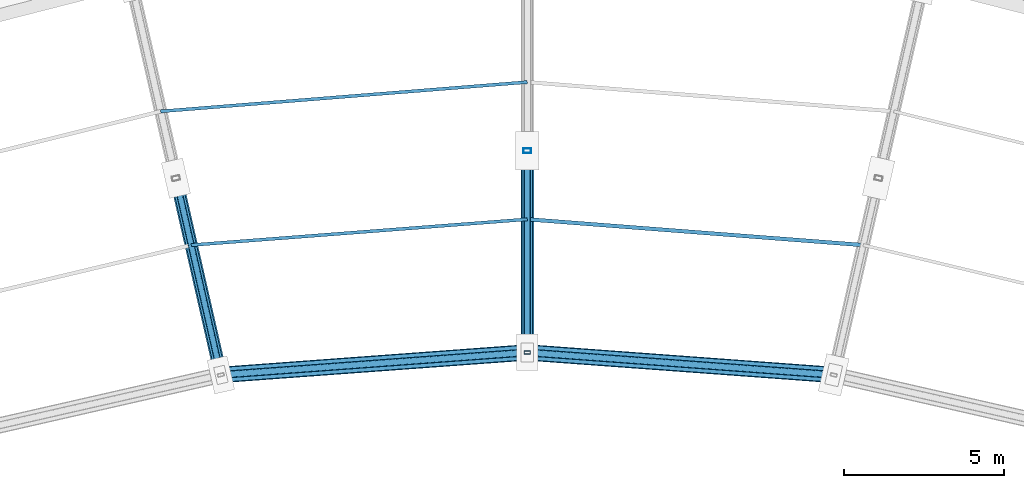
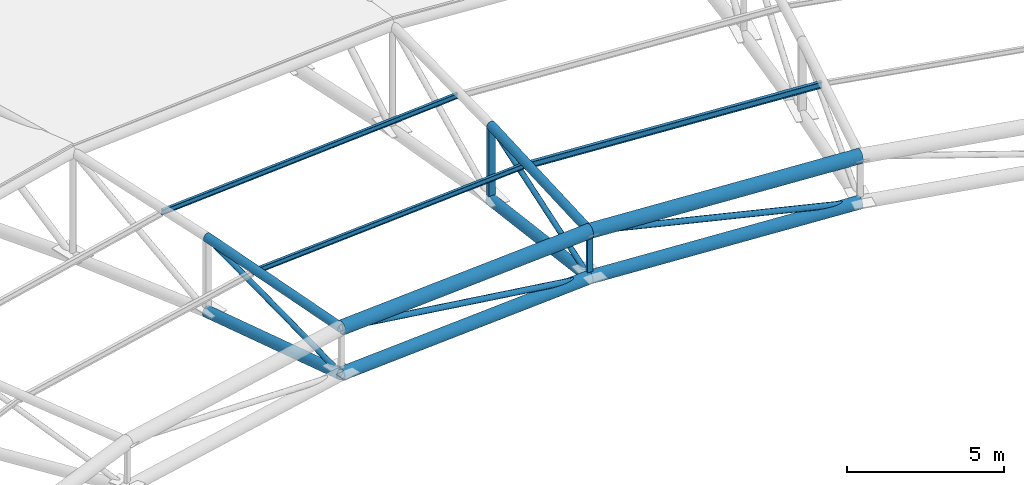
# One storey, part 48 of 108: 17 members.
"""IFC4 building model written with IfcOpenShell, lengths in metres."""

from ifc_helpers import new_model, si_unit, direction, frame, origin, origin_2d, place, context, subcontext, project, spatial, hollow_rectangle, hollow_circle, i_section, extrude, material, material_profile, profile_set, type_object, element, save


model = new_model("IFC4")

# Units and contexts
model_context = context("Model", 3, precision=1e-05, world=origin(), true_north=direction((0.0, 1.0)))
body_context = subcontext(model_context, "Body", "Model", "MODEL_VIEW")
ifc_project = project(units=[si_unit("LENGTHUNIT", "METRE"), si_unit("AREAUNIT", "SQUARE_METRE"), si_unit("VOLUMEUNIT", "CUBIC_METRE"), si_unit("PLANEANGLEUNIT", "RADIAN"), si_unit("MASSUNIT", "GRAM", prefix="KILO")], contexts=[model_context])

# Site, building, storey
site_placement = place(None, origin())
site = spatial("IfcSite", under=ifc_project, at=site_placement, CompositionType="ELEMENT")
building_placement = place(site_placement, origin())
building = spatial("IfcBuilding", under=site, at=building_placement, Name="Zevraka Park Crest Stadium", CompositionType="ELEMENT")
storey_placement = place(building_placement, frame((0.0, 0.0, 29.39990234375)))
storey = spatial("IfcBuildingStorey", under=building, at=storey_placement, Name="RF", CompositionType="ELEMENT", Elevation=29.39990234375)

# Members
ifc_material_1 = material(Name="Steel S355", Category="steel")
ifc_material_profile_1 = material_profile(ifc_material_1, i_section(OverallWidth=0.1201171875, OverallDepth=0.239990234375, WebThickness=0.006103515625, FlangeThickness=0.009765625, at=origin_2d()), Name="IPE 240")
ifc_profile_set_1 = profile_set([ifc_material_profile_1], Name="Steel S355")
member_type_1 = type_object("IfcMemberType", Name="PR01", PredefinedType="PURLIN", material=ifc_profile_set_1)
member_1_placement = place(storey_placement, frame((122.492919921875, 123.35205078125, 9.01708984375), z_axis=(-0.99706348524, 0.076579412382, 0.0), x_axis=(-0.076579412382, -0.99706348524, 0.0)))
element("IfcMember", 1, at=member_1_placement, inside=storey, type_object=member_type_1, Name="Canopy Roof Purlin PR01 INNER-07-2", PredefinedType="PURLIN", context=body_context, shape_type="SweptSolid", body=[
    extrude(i_section(OverallWidth=0.1201171875, OverallDepth=0.239990234375, WebThickness=0.006103515625, FlangeThickness=0.009765625, at=origin_2d()), origin(), (0.0, 0.0, 1.0), 10.52392578125),
])
ifc_material_2 = material(Name="Steel S355", Category="steel")
ifc_material_profile_2 = material_profile(ifc_material_2, i_section(OverallWidth=0.10009765625, OverallDepth=0.199951171875, WebThickness=0.005615234375, FlangeThickness=0.008544921875, at=origin_2d()), Name="IPE 200")
ifc_profile_set_2 = profile_set([ifc_material_profile_2], Name="Steel S355")
member_type_2 = type_object("IfcMemberType", Name="PR03", PredefinedType="PURLIN", material=ifc_profile_set_2)
member_2_placement = place(storey_placement, frame((112.0, 128.44189453125, 9.173095703125), z_axis=(-0.996828716776, -0.079577065858, 0.0), x_axis=(0.079577065858, -0.996828716776, 0.0)))
element("IfcMember", 2, at=member_2_placement, inside=storey, type_object=member_type_2, Name="Canopy Roof Purlin PR03 INNER-08-1", PredefinedType="PURLIN", context=body_context, shape_type="SweptSolid", body=[
    extrude(i_section(OverallWidth=0.10009765625, OverallDepth=0.199951171875, WebThickness=0.005615234375, FlangeThickness=0.008544921875, at=origin_2d()), origin(), (0.0, 0.0, 1.0), 11.4833984375),
])
member_3_placement = place(storey_placement, frame((112.0, 124.157958984375, 9.037109375), z_axis=(-0.99706348524, -0.076579412382, 0.0), x_axis=(0.076579412382, -0.99706348524, 0.0)))
element("IfcMember", 3, at=member_3_placement, inside=storey, type_object=member_type_2, Name="Canopy Roof Purlin PR03 INNER-08-2", PredefinedType="PURLIN", context=body_context, shape_type="SweptSolid", body=[
    extrude(i_section(OverallWidth=0.10009765625, OverallDepth=0.199951171875, WebThickness=0.005615234375, FlangeThickness=0.008544921875, at=origin_2d()), origin(), (0.0, 0.0, 1.0), 10.52392578125),
])
ifc_material_3 = material(Name="Steel S355", Category="steel")
ifc_material_profile_3 = material_profile(ifc_material_3, hollow_circle(Radius=0.25390625, WallThickness=0.030029296875, at=origin_2d()), Name="CHS 508.0x30")
ifc_profile_set_3 = profile_set([ifc_material_profile_3], Name="Steel S355")
member_type_3 = type_object("IfcMemberType", Name="TC01", PredefinedType="CHORD", material=ifc_profile_set_3)
for number, where, z_axis, x_axis, name in (
    (4, (121.568115234375, 119.298095703125, 9.0), (-0.997320063798, 0.073162082708, 0.0), (-0.073162082708, -0.997320063798, 0.0), "Roof Inner Oculus Compression-Tension Ring TC01 07"),
    (5, (112.0, 120.0, 9.0), (-0.997320063798, -0.073162082708, 0.0), (0.073162082708, -0.997320063798, 0.0), "Roof Inner Oculus Compression-Tension Ring TC01 08"),
):
    element("IfcMember", number, at=place(storey_placement, frame(where, z_axis=z_axis, x_axis=x_axis)), inside=storey, type_object=member_type_3, Name=name, PredefinedType="CHORD", context=body_context, shape_type="SweptSolid", body=[
        extrude(hollow_circle(Radius=0.25390625, WallThickness=0.030029296875, at=origin_2d()), origin(), (0.0, 0.0, 1.0), 9.59375),
    ])
ifc_material_4 = material(Name="Steel S355", Category="steel")
ifc_material_profile_4 = material_profile(ifc_material_4, hollow_circle(Radius=0.228515625, WallThickness=0.02490234375, at=origin_2d()), Name="CHS 457.0x25")
ifc_profile_set_4 = profile_set([ifc_material_profile_4], Name="Steel S355")
member_type_4 = type_object("IfcMemberType", Name="TC02", PredefinedType="CHORD", material=ifc_profile_set_4)
for number, where, z_axis, x_axis, name in (
    (6, (121.568115234375, 119.298095703125, 7.2001953125), (-0.997320063798, 0.073162082708, 0.0), (-0.073162082708, -0.997320063798, 0.0), "Roof Inner Oculus Bottom Ring TC02 07"),
    (7, (112.0, 120.0, 7.2001953125), (-0.997320063798, -0.073162082708, 0.0), (0.073162082708, -0.997320063798, 0.0), "Roof Inner Oculus Bottom Ring TC02 08"),
):
    element("IfcMember", number, at=place(storey_placement, frame(where, z_axis=z_axis, x_axis=x_axis)), inside=storey, type_object=member_type_4, Name=name, PredefinedType="CHORD", context=body_context, shape_type="SweptSolid", body=[
        extrude(hollow_circle(Radius=0.228515625, WallThickness=0.02490234375, at=origin_2d()), origin(), (0.0, 0.0, 1.0), 9.59375),
    ])
ifc_material_5 = material(Name="Steel S355", Category="steel")
ifc_material_profile_5 = material_profile(ifc_material_5, hollow_circle(Radius=0.203125, WallThickness=0.02001953125, at=origin_2d()), Name="CHS 406.4x20")
ifc_profile_set_5 = profile_set([ifc_material_profile_5], Name="Steel S355")
member_type_5 = type_object("IfcMemberType", Name="TC03", PredefinedType="CHORD", material=ifc_profile_set_5)
member_4_placement = place(storey_placement, frame((112.0, 126.300048828125, 6.400146484375), z_axis=(0.0, -0.992032890363, 0.125979142868), x_axis=(1.0, 0.0, 0.0)))
element("IfcMember", 8, at=member_4_placement, inside=storey, type_object=member_type_5, Name="Roof Truss Bottom Chord TC03 T08-7", PredefinedType="CHORD", context=body_context, shape_type="SweptSolid", body=[
    extrude(hollow_circle(Radius=0.203125, WallThickness=0.02001953125, at=origin_2d()), origin(), (0.0, 0.0, 1.0), 6.3505859375),
])
member_5_placement = place(storey_placement, frame((101.030029296875, 125.43994140625, 6.400146484375), z_axis=(0.220750829989, -0.967159287709, 0.125984059539), x_axis=(0.974927248717, 0.222523840765, 0.0)))
element("IfcMember", 9, at=member_5_placement, inside=storey, type_object=member_type_5, Name="Roof Truss Bottom Chord TC03 T09-7", PredefinedType="CHORD", context=body_context, shape_type="SweptSolid", body=[
    extrude(hollow_circle(Radius=0.203125, WallThickness=0.02001953125, at=origin_2d()), origin(), (0.0, 0.0, 1.0), 6.350341796875),
])
ifc_material_6 = material(Name="Steel S355", Category="steel")
ifc_material_profile_6 = material_profile(ifc_material_6, hollow_circle(Radius=0.161865234375, WallThickness=0.01611328125, at=origin_2d()), Name="CHS 323.9x16")
ifc_profile_set_6 = profile_set([ifc_material_profile_6], Name="Steel S355")
member_type_6 = type_object("IfcMemberType", Name="TC04", PredefinedType="CHORD", material=ifc_profile_set_6)
member_6_placement = place(storey_placement, frame((112.0, 126.300048828125, 9.300048828125), z_axis=(0.0, -0.998867787396, -0.047572505743), x_axis=(1.0, 0.0, 0.0)))
element("IfcMember", 10, at=member_6_placement, inside=storey, type_object=member_type_6, Name="Roof Truss Top Chord TC04 T08-7", PredefinedType="CHORD", context=body_context, shape_type="SweptSolid", body=[
    extrude(hollow_circle(Radius=0.161865234375, WallThickness=0.01611328125, at=origin_2d()), origin(), (0.0, 0.0, 1.0), 6.30712890625),
])
member_7_placement = place(storey_placement, frame((101.030029296875, 125.43994140625, 9.300048828125), z_axis=(0.222271876519, -0.973823336396, -0.04757438806), x_axis=(0.974927248717, 0.222523840765, 0.0)))
element("IfcMember", 11, at=member_7_placement, inside=storey, type_object=member_type_6, Name="Roof Truss Top Chord TC04 T09-7", PredefinedType="CHORD", context=body_context, shape_type="SweptSolid", body=[
    extrude(hollow_circle(Radius=0.161865234375, WallThickness=0.01611328125, at=origin_2d()), origin(), (0.0, 0.0, 1.0), 6.306884765625),
])
ifc_material_7 = material(Name="Steel S355", Category="steel")
ifc_material_profile_7 = material_profile(ifc_material_7, hollow_circle(Radius=0.109619140625, WallThickness=0.010009765625, at=origin_2d()), Name="CHS 219.1x10")
ifc_profile_set_7 = profile_set([ifc_material_profile_7], Name="Steel S355")
member_type_7 = type_object("IfcMemberType", Name="WB02", PredefinedType="BRACE", material=ifc_profile_set_7)
for number, where, z_axis, x_axis, name in (
    (12, (121.568115234375, 119.298095703125, 7.2001953125), (-0.980220338684, 0.071907669458, 0.184383770171), (-0.073162082708, -0.997320063798, 0.0), "Roof Oculus Ring Brace WB02 07"),
    (13, (112.0, 120.0, 7.2001953125), (-0.980220338684, -0.071907669458, 0.184383770171), (0.073162082708, -0.997320063798, 0.0), "Roof Oculus Ring Brace WB02 08"),
):
    element("IfcMember", number, at=place(storey_placement, frame(where, z_axis=z_axis, x_axis=x_axis)), inside=storey, type_object=member_type_7, Name=name, PredefinedType="BRACE", context=body_context, shape_type="SweptSolid", body=[
        extrude(hollow_circle(Radius=0.109619140625, WallThickness=0.010009765625, at=origin_2d()), origin(), (0.0, 0.0, 1.0), 9.76123046875),
    ])
ifc_material_8 = material(Name="Steel S355", Category="steel")
ifc_material_profile_8 = material_profile(ifc_material_8, hollow_rectangle(XDim=0.14990234375, YDim=0.25, WallThickness=0.010009765625, at=origin_2d()), Name="RHS 250x150x10")
ifc_profile_set_8 = profile_set([ifc_material_profile_8], Name="Steel S355")
member_type_8 = type_object("IfcMemberType", Name="WB04", PredefinedType="BRACE", material=ifc_profile_set_8)
member_8_placement = place(storey_placement, frame((112.0, 126.300048828125, 6.400146484375), z_axis=(0.0, 0.0, 1.0), x_axis=(0.0, 1.0, 0.0)))
element("IfcMember", 14, at=member_8_placement, inside=storey, type_object=member_type_8, Name="Roof Truss Web Post WB04 T08-6", PredefinedType="BRACE", context=body_context, shape_type="SweptSolid", body=[
    extrude(hollow_rectangle(XDim=0.14990234375, YDim=0.25, WallThickness=0.010009765625, at=origin_2d()), origin(), (0.0, 0.0, 1.0), 2.89990234375),
])
ifc_material_9 = material(Name="Steel S355", Category="steel")
ifc_material_profile_9 = material_profile(ifc_material_9, hollow_rectangle(XDim=0.10009765625, YDim=0.199951171875, WallThickness=0.008056640625, at=origin_2d()), Name="RHS 200x100x8")
ifc_profile_set_9 = profile_set([ifc_material_profile_9], Name="Steel S355")
member_type_9 = type_object("IfcMemberType", Name="WB05", PredefinedType="BRACE", material=ifc_profile_set_9)
member_9_placement = place(storey_placement, frame((112.0, 120.0, 7.2001953125), z_axis=(0.0, 0.0, 1.0), x_axis=(0.0, 1.0, 0.0)))
element("IfcMember", 15, at=member_9_placement, inside=storey, type_object=member_type_9, Name="Roof Truss Web Post WB05 T08-7", PredefinedType="BRACE", context=body_context, shape_type="SweptSolid", body=[
    extrude(hollow_rectangle(XDim=0.10009765625, YDim=0.199951171875, WallThickness=0.008056640625, at=origin_2d()), origin(), (0.0, 0.0, 1.0), 1.7998046875),
])
ifc_material_10 = material(Name="Steel S355", Category="steel")
ifc_material_profile_10 = material_profile(ifc_material_10, hollow_circle(Radius=0.096923828125, WallThickness=0.010009765625, at=origin_2d()), Name="CHS 193.7x10")
ifc_profile_set_10 = profile_set([ifc_material_profile_10], Name="Steel S355")
member_type_10 = type_object("IfcMemberType", Name="WB08", PredefinedType="BRACE", material=ifc_profile_set_10)
member_10_placement = place(storey_placement, frame((112.0, 120.0, 7.2001953125), z_axis=(0.0, 0.94869065056, 0.316205707633), x_axis=(-1.0, 0.0, 0.0)))
element("IfcMember", 16, at=member_10_placement, inside=storey, type_object=member_type_10, Name="Roof Truss Web Diagonal WB08 T08-7", PredefinedType="BRACE", context=body_context, shape_type="SweptSolid", body=[
    extrude(hollow_circle(Radius=0.096923828125, WallThickness=0.010009765625, at=origin_2d()), origin(), (0.0, 0.0, 1.0), 6.640869140625),
])
member_11_placement = place(storey_placement, frame((102.431884765625, 119.298095703125, 7.2001953125), z_axis=(-0.21110545018, 0.924900698394, 0.316216993556), x_axis=(-0.974927248717, -0.222523840765, 0.0)))
element("IfcMember", 17, at=member_11_placement, inside=storey, type_object=member_type_10, Name="Roof Truss Web Diagonal WB08 T09-7", PredefinedType="BRACE", context=body_context, shape_type="SweptSolid", body=[
    extrude(hollow_circle(Radius=0.096923828125, WallThickness=0.010009765625, at=origin_2d()), origin(), (0.0, 0.0, 1.0), 6.640625),
])

save(model, "model.ifc")
